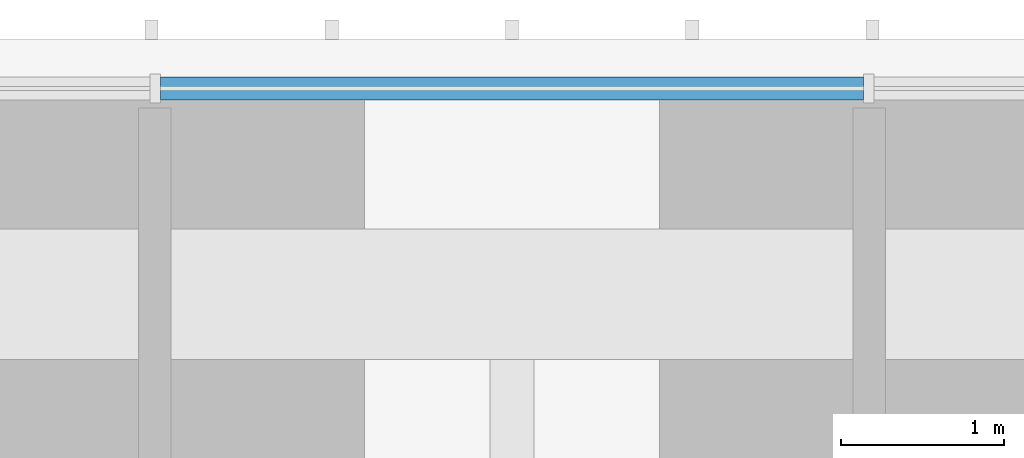
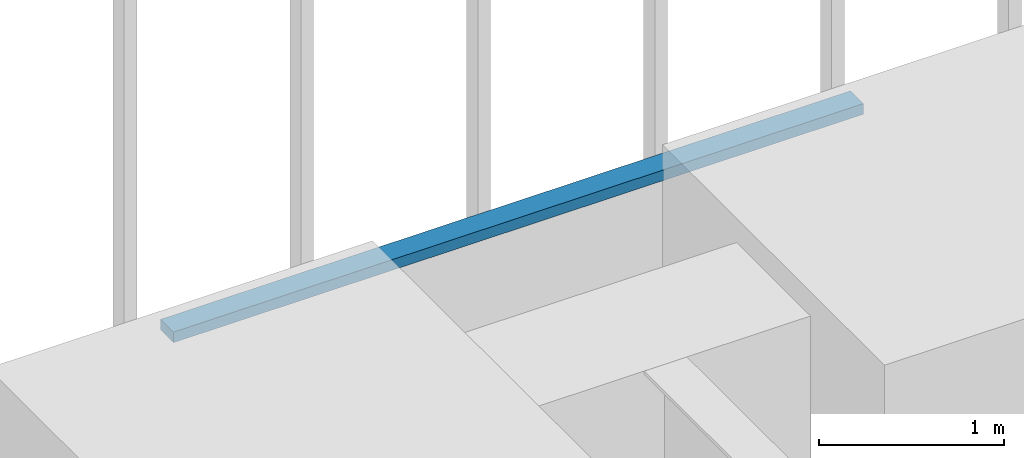
# One storey, part 189 of 256: 1 member, 1 element without a shape of its own.
"""IFC4 building model written with IfcOpenShell, lengths in metres."""

from ifc_helpers import new_model, si_unit, direction, frame, origin, origin_2d, place, context, subcontext, project, spatial, rectangle, extrude, material, material_profile, profile_set, type_object, element, aggregate, save


model = new_model("IFC4")

# Units and contexts
model_context = context("Model", 3, precision=1e-05, world=origin(), true_north=direction((0.0, 1.0)))
body_context = subcontext(model_context, "Body", "Model", "MODEL_VIEW")
ifc_project = project(units=[si_unit("LENGTHUNIT", "METRE"), si_unit("AREAUNIT", "SQUARE_METRE"), si_unit("VOLUMEUNIT", "CUBIC_METRE"), si_unit("PLANEANGLEUNIT", "RADIAN"), si_unit("MASSUNIT", "GRAM", prefix="KILO")], contexts=[model_context])

# Site, building, storey
site_placement = place(None, origin())
site = spatial("IfcSite", under=ifc_project, at=site_placement, CompositionType="ELEMENT")
building_placement = place(site_placement, origin())
building = spatial("IfcBuilding", under=site, at=building_placement, Name="Sandreach Pilgrim Tower", CompositionType="ELEMENT")
storey_placement = place(building_placement, frame((0.0, 0.0, 23.0)))
storey = spatial("IfcBuildingStorey", under=building, at=storey_placement, Name="L04", CompositionType="ELEMENT", Elevation=23.0)

# Curtain wall, member
ifc_material_1 = material(Name="Aluminium framed curtain wall", Category="aluminium")
curtain_wall_type = type_object("IfcCurtainWallType", Name="Hostel tower curtain wall", PredefinedType="NOTDEFINED", material=ifc_material_1)
curtain_wall_placement = place(storey_placement, origin())
curtain_wall = element("IfcCurtainWall", 1, at=curtain_wall_placement, inside=storey, type_object=curtain_wall_type, Name="CW-1 L04 N", PredefinedType="NOTDEFINED")
ifc_material_2 = material(Name="Aluminium extrusion", Category="aluminium")
ifc_material_profile = material_profile(ifc_material_2, rectangle(XDim=0.139892578125, YDim=0.070068359375, at=origin_2d()), Name="CW-1T 140X70")
ifc_profile_set = profile_set([ifc_material_profile], Name="Aluminium extrusion")
member_type = type_object("IfcMemberType", Name="CW-1 transom", PredefinedType="USERDEFINED", material=ifc_profile_set)
member_placement = place(storey_placement, frame((-2.1533203125, 23.94873046875, 3.60498046875), z_axis=(1.0, 0.0, 0.0), x_axis=(0.0, 1.0, 0.0)))
member = element("IfcMember", 2, at=member_placement, type_object=member_type, Name="CW-1 head transom 5", ObjectType="TRANSOM", PredefinedType="USERDEFINED", context=body_context, shape_type="SweptSolid", body=[
    extrude(rectangle(XDim=0.139892578125, YDim=0.070068359375, at=origin_2d()), origin(), (0.0, 0.0, 1.0), 4.306640625),
])
aggregate(curtain_wall, [member])

save(model, "model.ifc")
